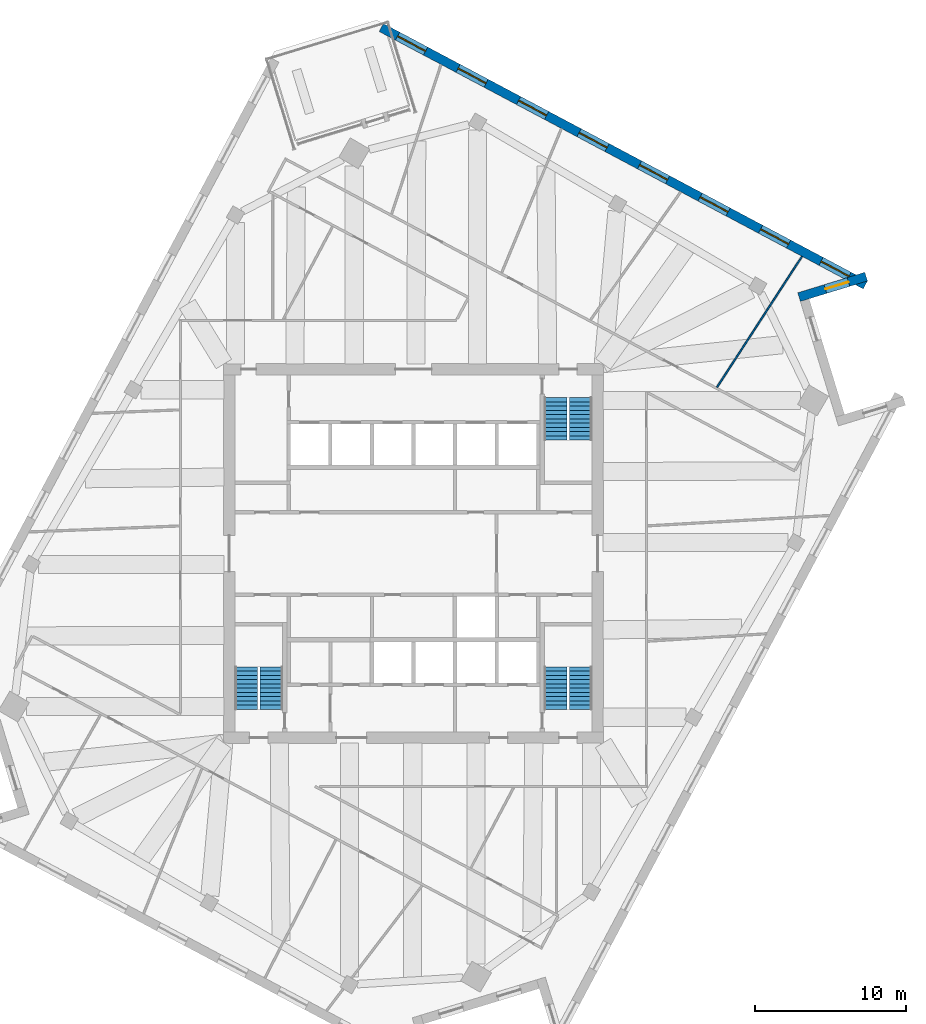
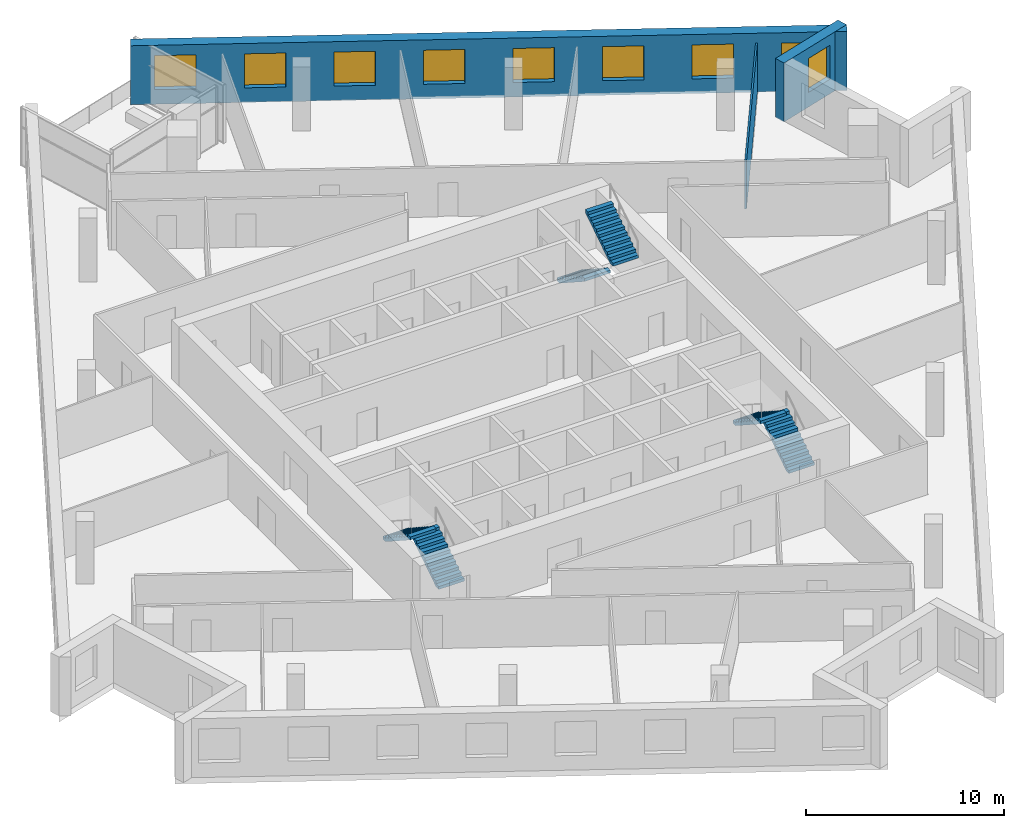
# One storey, part 11 of 13: 9 windows, 6 stair flights, 3 walls, 9 openings, 3 elements without a shape of their own.
"""IFC4 building model written with IfcOpenShell, lengths in metres."""

from ifc_helpers import new_model, si_unit, direction, frame, frame_2d, origin, place, context, subcontext, project, spatial, polyline, rectangle, outline, extrude, material, layer, layer_set, type_object, element, fill, aggregate, save


model = new_model("IFC4")

# Units and contexts
model_context = context("Model", 3, precision=1e-05, world=origin(), true_north=direction((0.0, 1.0)))
body_context = subcontext(model_context, "Body", "Model", "MODEL_VIEW")
ifc_project = project(units=[si_unit("LENGTHUNIT", "METRE"), si_unit("AREAUNIT", "SQUARE_METRE"), si_unit("VOLUMEUNIT", "CUBIC_METRE"), si_unit("PLANEANGLEUNIT", "RADIAN"), si_unit("MASSUNIT", "GRAM", prefix="KILO")], contexts=[model_context])

# Site, building, storey
site_placement = place(None, origin())
site = spatial("IfcSite", under=ifc_project, at=site_placement, CompositionType="ELEMENT")
building_placement = place(site_placement, origin())
building = spatial("IfcBuilding", under=site, at=building_placement, Name="Dilmun Exchange Tower", CompositionType="ELEMENT")
storey_placement = place(building_placement, frame((0.0, 0.0, 274.89990234375)))
storey = spatial("IfcBuildingStorey", under=building, at=storey_placement, Name="L65", CompositionType="ELEMENT", Elevation=274.89990234375)

# Wall
ifc_material_1 = material(Name="Partition 100")
ifc_layer_1 = layer(ifc_material_1, 0.10009765625)
ifc_layer_set_1 = layer_set([ifc_layer_1], Name="Partition 100")
wall_type_1 = type_object("IfcWallType", Name="Partition 100", PredefinedType="PARTITIONING", material=ifc_layer_set_1)
wall_1_placement = place(storey_placement, frame((20.0673828125, 10.994873046875, 0.0), z_axis=(0.0, 0.0, 1.0), x_axis=(0.545104885897, 0.838367856834, 0.0)))
element("IfcWall", 1, at=wall_1_placement, inside=storey, type_object=wall_type_1, Name="Partition", PredefinedType="PARTITIONING", context=body_context, shape_type="SweptSolid", body=[
    extrude(rectangle(XDim=10.308837890625, YDim=0.10009765625, at=frame_2d((5.154296875, 0.0))), origin(), (0.0, 0.0, 1.0), 3.0400390625),
])

# Wall, opening, window
ifc_material_2 = material(Name="Precast concrete C50/60", Category="concrete")
ifc_layer_2 = layer(ifc_material_2, 0.60009765625)
ifc_layer_set_2 = layer_set([ifc_layer_2], Name="Precast concrete C50/60")
wall_type_2 = type_object("IfcWallType", Name="Precast stone-clad wall 600", PredefinedType="STANDARD", material=ifc_layer_set_2)
wall_2_placement = place(storey_placement, frame((25.49462890625, 16.94921875, 0.0), z_axis=(0.0, 0.0, 1.0), x_axis=(0.956292267386, 0.292412549899, 0.0)))
wall_2 = element("IfcWall", 2, at=wall_2_placement, inside=storey, type_object=wall_type_2, Name="Facade wall L65-14", PredefinedType="STANDARD", context=body_context, shape_type="SweptSolid", body=[
    extrude(rectangle(XDim=4.635498046875, YDim=0.60009765625, at=frame_2d((2.31787109375, 0.0))), origin(), (0.0, 0.0, 1.0), 3.64013671875),
])
opening_1_placement = place(wall_2_placement, frame((1.81787109375, 0.0, 0.89990234375)))
opening_1 = element("IfcOpeningElement", 3, at=opening_1_placement, cuts=wall_2, Name="Opening W160-210", PredefinedType="OPENING", context=body_context, shape_type="SweptSolid", body=[
    extrude(rectangle(XDim=1.60009765625, YDim=2.10009765625, at=frame_2d((0.800048828125, 1.050048828125))), frame((0.0, 0.31005859375, 0.0), z_axis=(0.0, -1.0, 0.0), x_axis=(1.0, 0.0, 0.0)), (0.0, 0.0, 1.0), 0.6201171875),
])
ifc_material_3 = material(Name="Clear low-emissivity glass in aluminium frame", Category="aluminium")
window_type_1 = type_object("IfcWindowType", Name="Punched window 1600 x 2100", PartitioningType="DOUBLE_PANEL_VERTICAL", PredefinedType="WINDOW", material=ifc_material_3)
window_1_placement = place(opening_1_placement, origin())
window_1 = element("IfcWindow", 4, at=window_1_placement, inside=storey, type_object=window_type_1, Name="Window 15.1", OverallHeight=2.10009765625, OverallWidth=1.60009765625, PartitioningType="SINGLE_PANEL", PredefinedType="WINDOW", context=body_context, shape_type="SweptSolid", body=[
    extrude(rectangle(XDim=1.60009765625, YDim=2.10009765625, at=frame_2d((0.800048828125, 1.050048828125))), frame((0.0, 0.030029296875, 0.0), z_axis=(0.0, -1.0, 0.0), x_axis=(1.0, 0.0, 0.0)), (0.0, 0.0, 1.0), 0.06005859375),
])
fill(opening_1, window_1)

# Wall, openings, windows
wall_3_placement = place(storey_placement, frame((29.87451171875, 17.752685546875, 0.0), z_axis=(0.0, 0.0, 1.0), x_axis=(-0.88294707281, 0.469472540854, 0.0)))
wall_3 = element("IfcWall", 5, at=wall_3_placement, inside=storey, type_object=wall_type_2, Name="Facade wall L65-15", PredefinedType="STANDARD", context=body_context, shape_type="SweptSolid", body=[
    extrude(rectangle(XDim=36.2431640625, YDim=0.60009765625, at=frame_2d((18.12158203125, 0.0))), origin(), (0.0, 0.0, 1.0), 3.64013671875),
])
opening_2_placement = place(wall_3_placement, frame((1.215087890625, 0.0, 0.89990234375)))
opening_2 = element("IfcOpeningElement", 6, at=opening_2_placement, cuts=wall_3, Name="Opening W210-210", PredefinedType="OPENING", context=body_context, shape_type="SweptSolid", body=[
    extrude(rectangle(XDim=2.10009765625, YDim=2.10009765625, at=frame_2d((1.050048828125, 1.050048828125))), frame((0.0, 0.31005859375, 0.0), z_axis=(0.0, -1.0, 0.0), x_axis=(1.0, 0.0, 0.0)), (0.0, 0.0, 1.0), 0.6201171875),
])
opening_3_placement = place(wall_3_placement, frame((5.74560546875, 0.0, 0.89990234375)))
opening_3 = element("IfcOpeningElement", 7, at=opening_3_placement, cuts=wall_3, Name="Opening W210-210", PredefinedType="OPENING", context=body_context, shape_type="SweptSolid", body=[
    extrude(rectangle(XDim=2.10009765625, YDim=2.10009765625, at=frame_2d((1.050048828125, 1.050048828125))), frame((0.0, 0.31005859375, 0.0), z_axis=(0.0, -1.0, 0.0), x_axis=(1.0, 0.0, 0.0)), (0.0, 0.0, 1.0), 0.6201171875),
])
opening_4_placement = place(wall_3_placement, frame((10.27587890625, 0.0, 0.89990234375)))
opening_4 = element("IfcOpeningElement", 8, at=opening_4_placement, cuts=wall_3, Name="Opening W210-210", PredefinedType="OPENING", context=body_context, shape_type="SweptSolid", body=[
    extrude(rectangle(XDim=2.10009765625, YDim=2.10009765625, at=frame_2d((1.050048828125, 1.050048828125))), frame((0.0, 0.31005859375, 0.0), z_axis=(0.0, -1.0, 0.0), x_axis=(1.0, 0.0, 0.0)), (0.0, 0.0, 1.0), 0.6201171875),
])
opening_5_placement = place(wall_3_placement, frame((14.806396484375, 0.0, 0.89990234375)))
opening_5 = element("IfcOpeningElement", 9, at=opening_5_placement, cuts=wall_3, Name="Opening W210-210", PredefinedType="OPENING", context=body_context, shape_type="SweptSolid", body=[
    extrude(rectangle(XDim=2.10009765625, YDim=2.10009765625, at=frame_2d((1.050048828125, 1.050048828125))), frame((0.0, 0.31005859375, 0.0), z_axis=(0.0, -1.0, 0.0), x_axis=(1.0, 0.0, 0.0)), (0.0, 0.0, 1.0), 0.6201171875),
])
opening_6_placement = place(wall_3_placement, frame((19.3369140625, 0.0, 0.89990234375)))
opening_6 = element("IfcOpeningElement", 10, at=opening_6_placement, cuts=wall_3, Name="Opening W210-210", PredefinedType="OPENING", context=body_context, shape_type="SweptSolid", body=[
    extrude(rectangle(XDim=2.10009765625, YDim=2.10009765625, at=frame_2d((1.050048828125, 1.050048828125))), frame((0.0, 0.31005859375, 0.0), z_axis=(0.0, -1.0, 0.0), x_axis=(1.0, 0.0, 0.0)), (0.0, 0.0, 1.0), 0.6201171875),
])
opening_7_placement = place(wall_3_placement, frame((23.8671875, 0.0, 0.89990234375)))
opening_7 = element("IfcOpeningElement", 11, at=opening_7_placement, cuts=wall_3, Name="Opening W210-210", PredefinedType="OPENING", context=body_context, shape_type="SweptSolid", body=[
    extrude(rectangle(XDim=2.10009765625, YDim=2.10009765625, at=frame_2d((1.050048828125, 1.050048828125))), frame((0.0, 0.31005859375, 0.0), z_axis=(0.0, -1.0, 0.0), x_axis=(1.0, 0.0, 0.0)), (0.0, 0.0, 1.0), 0.6201171875),
])
opening_8_placement = place(wall_3_placement, frame((28.397705078125, 0.0, 0.89990234375)))
opening_8 = element("IfcOpeningElement", 12, at=opening_8_placement, cuts=wall_3, Name="Opening W210-210", PredefinedType="OPENING", context=body_context, shape_type="SweptSolid", body=[
    extrude(rectangle(XDim=2.10009765625, YDim=2.10009765625, at=frame_2d((1.050048828125, 1.050048828125))), frame((0.0, 0.31005859375, 0.0), z_axis=(0.0, -1.0, 0.0), x_axis=(1.0, 0.0, 0.0)), (0.0, 0.0, 1.0), 0.6201171875),
])
opening_9_placement = place(wall_3_placement, frame((32.927978515625, 0.0, 0.89990234375)))
opening_9 = element("IfcOpeningElement", 13, at=opening_9_placement, cuts=wall_3, Name="Opening W210-210", PredefinedType="OPENING", context=body_context, shape_type="SweptSolid", body=[
    extrude(rectangle(XDim=2.10009765625, YDim=2.10009765625, at=frame_2d((1.050048828125, 1.050048828125))), frame((0.0, 0.31005859375, 0.0), z_axis=(0.0, -1.0, 0.0), x_axis=(1.0, 0.0, 0.0)), (0.0, 0.0, 1.0), 0.6201171875),
])
window_type_2 = type_object("IfcWindowType", Name="Punched window 2100 x 2100", PartitioningType="DOUBLE_PANEL_VERTICAL", PredefinedType="WINDOW", material=ifc_material_3)
window_2_placement = place(opening_2_placement, origin())
window_2 = element("IfcWindow", 14, at=window_2_placement, inside=storey, type_object=window_type_2, Name="Window 16.1", OverallHeight=2.10009765625, OverallWidth=2.10009765625, PartitioningType="SINGLE_PANEL", PredefinedType="WINDOW", context=body_context, shape_type="SweptSolid", body=[
    extrude(rectangle(XDim=2.10009765625, YDim=2.10009765625, at=frame_2d((1.050048828125, 1.050048828125))), frame((0.0, 0.030029296875, 0.0), z_axis=(0.0, -1.0, 0.0), x_axis=(1.0, 0.0, 0.0)), (0.0, 0.0, 1.0), 0.06005859375),
])
fill(opening_2, window_2)
window_3_placement = place(opening_3_placement, origin())
window_3 = element("IfcWindow", 15, at=window_3_placement, inside=storey, type_object=window_type_2, Name="Window 16.2", OverallHeight=2.10009765625, OverallWidth=2.10009765625, PartitioningType="SINGLE_PANEL", PredefinedType="WINDOW", context=body_context, shape_type="SweptSolid", body=[
    extrude(rectangle(XDim=2.10009765625, YDim=2.10009765625, at=frame_2d((1.050048828125, 1.050048828125))), frame((0.0, 0.030029296875, 0.0), z_axis=(0.0, -1.0, 0.0), x_axis=(1.0, 0.0, 0.0)), (0.0, 0.0, 1.0), 0.06005859375),
])
fill(opening_3, window_3)
window_4_placement = place(opening_4_placement, origin())
window_4 = element("IfcWindow", 16, at=window_4_placement, inside=storey, type_object=window_type_2, Name="Window 16.3", OverallHeight=2.10009765625, OverallWidth=2.10009765625, PartitioningType="SINGLE_PANEL", PredefinedType="WINDOW", context=body_context, shape_type="SweptSolid", body=[
    extrude(rectangle(XDim=2.10009765625, YDim=2.10009765625, at=frame_2d((1.050048828125, 1.050048828125))), frame((0.0, 0.030029296875, 0.0), z_axis=(0.0, -1.0, 0.0), x_axis=(1.0, 0.0, 0.0)), (0.0, 0.0, 1.0), 0.06005859375),
])
fill(opening_4, window_4)
window_5_placement = place(opening_5_placement, origin())
window_5 = element("IfcWindow", 17, at=window_5_placement, inside=storey, type_object=window_type_2, Name="Window 16.4", OverallHeight=2.10009765625, OverallWidth=2.10009765625, PartitioningType="SINGLE_PANEL", PredefinedType="WINDOW", context=body_context, shape_type="SweptSolid", body=[
    extrude(rectangle(XDim=2.10009765625, YDim=2.10009765625, at=frame_2d((1.050048828125, 1.050048828125))), frame((0.0, 0.030029296875, 0.0), z_axis=(0.0, -1.0, 0.0), x_axis=(1.0, 0.0, 0.0)), (0.0, 0.0, 1.0), 0.06005859375),
])
fill(opening_5, window_5)
window_6_placement = place(opening_6_placement, origin())
window_6 = element("IfcWindow", 18, at=window_6_placement, inside=storey, type_object=window_type_2, Name="Window 16.5", OverallHeight=2.10009765625, OverallWidth=2.10009765625, PartitioningType="SINGLE_PANEL", PredefinedType="WINDOW", context=body_context, shape_type="SweptSolid", body=[
    extrude(rectangle(XDim=2.10009765625, YDim=2.10009765625, at=frame_2d((1.050048828125, 1.050048828125))), frame((0.0, 0.030029296875, 0.0), z_axis=(0.0, -1.0, 0.0), x_axis=(1.0, 0.0, 0.0)), (0.0, 0.0, 1.0), 0.06005859375),
])
fill(opening_6, window_6)
window_7_placement = place(opening_7_placement, origin())
window_7 = element("IfcWindow", 19, at=window_7_placement, inside=storey, type_object=window_type_2, Name="Window 16.6", OverallHeight=2.10009765625, OverallWidth=2.10009765625, PartitioningType="SINGLE_PANEL", PredefinedType="WINDOW", context=body_context, shape_type="SweptSolid", body=[
    extrude(rectangle(XDim=2.10009765625, YDim=2.10009765625, at=frame_2d((1.050048828125, 1.050048828125))), frame((0.0, 0.030029296875, 0.0), z_axis=(0.0, -1.0, 0.0), x_axis=(1.0, 0.0, 0.0)), (0.0, 0.0, 1.0), 0.06005859375),
])
fill(opening_7, window_7)
window_8_placement = place(opening_8_placement, origin())
window_8 = element("IfcWindow", 20, at=window_8_placement, inside=storey, type_object=window_type_2, Name="Window 16.7", OverallHeight=2.10009765625, OverallWidth=2.10009765625, PartitioningType="SINGLE_PANEL", PredefinedType="WINDOW", context=body_context, shape_type="SweptSolid", body=[
    extrude(rectangle(XDim=2.10009765625, YDim=2.10009765625, at=frame_2d((1.050048828125, 1.050048828125))), frame((0.0, 0.030029296875, 0.0), z_axis=(0.0, -1.0, 0.0), x_axis=(1.0, 0.0, 0.0)), (0.0, 0.0, 1.0), 0.06005859375),
])
fill(opening_8, window_8)
window_9_placement = place(opening_9_placement, origin())
window_9 = element("IfcWindow", 21, at=window_9_placement, inside=storey, type_object=window_type_2, Name="Window 16.8", OverallHeight=2.10009765625, OverallWidth=2.10009765625, PartitioningType="SINGLE_PANEL", PredefinedType="WINDOW", context=body_context, shape_type="SweptSolid", body=[
    extrude(rectangle(XDim=2.10009765625, YDim=2.10009765625, at=frame_2d((1.050048828125, 1.050048828125))), frame((0.0, 0.030029296875, 0.0), z_axis=(0.0, -1.0, 0.0), x_axis=(1.0, 0.0, 0.0)), (0.0, 0.0, 1.0), 0.06005859375),
])
fill(opening_9, window_9)

# Stair, stair flights
ifc_material_4 = material(Name="Concrete C40/50", Category="concrete")
stair_type = type_object("IfcStairType", Name="Exit stair 1500 half-turn", PredefinedType="HALF_TURN_STAIR", material=ifc_material_4)
stair_1_placement = place(storey_placement, origin())
stair_1 = element("IfcStair", 22, at=stair_1_placement, inside=storey, type_object=stair_type, Name="L65 Protected exit stair ST1", PredefinedType="HALF_TURN_STAIR")
stair_flight_type = type_object("IfcStairFlightType", Name="Exit stair flight 1500", PredefinedType="STRAIGHT", material=ifc_material_4)
stair_flight_1_placement = place(storey_placement, frame((9.39990234375, 10.300048828125, 0.0), z_axis=(0.0, 0.0, 1.0), x_axis=(0.0, -1.0, 0.0)))
stair_flight_1 = element("IfcStairFlight", 23, at=stair_flight_1_placement, type_object=stair_flight_type, Name="ST1 flight 1", NumberOfRisers=11, NumberOfTreads=10, PredefinedType="STRAIGHT", RiserHeight=0.181818182, TreadLength=0.28, context=body_context, shape_type="SweptSolid", body=[
    extrude(outline(polyline([(0.0, 0.0), (0.0, 0.181884765625), (0.280029296875, 0.181884765625), (0.280029296875, 0.363525390625), (0.56005859375, 0.363525390625), (0.56005859375, 0.54541015625), (0.840087890625, 0.54541015625), (0.840087890625, 0.727294921875), (1.1201171875, 0.727294921875), (1.1201171875, 0.9091796875), (1.39990234375, 0.9091796875), (1.39990234375, 1.0908203125), (1.679931640625, 1.0908203125), (1.679931640625, 1.272705078125), (1.9599609375, 1.272705078125), (1.9599609375, 1.45458984375), (2.239990234375, 1.45458984375), (2.239990234375, 1.636474609375), (2.52001953125, 1.636474609375), (2.52001953125, 1.818115234375), (2.800048828125, 1.818115234375), (2.800048828125, 2.0), (2.800048828125, 1.639404296875), (0.275146484375, 0.0), (0.0, 0.0)])), frame((0.0, 0.75, 0.0), z_axis=(0.0, -1.0, 0.0), x_axis=(1.0, 0.0, 0.0)), (0.0, 0.0, 1.0), 1.5),
])
stair_flight_2_placement = place(storey_placement, frame((11.050048828125, 7.5, 2.0), z_axis=(0.0, 0.0, 1.0), x_axis=(0.0, 1.0, 0.0)))
stair_flight_2 = element("IfcStairFlight", 24, at=stair_flight_2_placement, type_object=stair_flight_type, Name="ST1 flight 2", NumberOfRisers=11, NumberOfTreads=10, PredefinedType="STRAIGHT", RiserHeight=0.181818182, TreadLength=0.28, context=body_context, shape_type="SweptSolid", body=[
    extrude(outline(polyline([(0.0, 0.0), (0.0, 0.181884765625), (0.280029296875, 0.181884765625), (0.280029296875, 0.363525390625), (0.56005859375, 0.363525390625), (0.56005859375, 0.54541015625), (0.840087890625, 0.54541015625), (0.840087890625, 0.727294921875), (1.1201171875, 0.727294921875), (1.1201171875, 0.9091796875), (1.39990234375, 0.9091796875), (1.39990234375, 1.0908203125), (1.679931640625, 1.0908203125), (1.679931640625, 1.272705078125), (1.9599609375, 1.272705078125), (1.9599609375, 1.45458984375), (2.239990234375, 1.45458984375), (2.239990234375, 1.636474609375), (2.52001953125, 1.636474609375), (2.52001953125, 1.818115234375), (2.800048828125, 1.818115234375), (2.800048828125, 2.0), (2.800048828125, 1.639404296875), (0.275146484375, 0.0), (0.0, 0.0)])), frame((0.0, 0.75, 0.0), z_axis=(0.0, -1.0, 0.0), x_axis=(1.0, 0.0, 0.0)), (0.0, 0.0, 1.0), 1.5),
])
aggregate(stair_1, [stair_flight_1, stair_flight_2])

stair_2_placement = place(storey_placement, origin())
stair_2 = element("IfcStair", 25, at=stair_2_placement, inside=storey, type_object=stair_type, Name="L65 Protected exit stair ST2", PredefinedType="HALF_TURN_STAIR")
stair_flight_3_placement = place(storey_placement, frame((-9.39990234375, -10.300048828125, 0.0), z_axis=(0.0, 0.0, 1.0), x_axis=(0.0, 1.0, 0.0)))
stair_flight_3 = element("IfcStairFlight", 26, at=stair_flight_3_placement, type_object=stair_flight_type, Name="ST2 flight 1", NumberOfRisers=11, NumberOfTreads=10, PredefinedType="STRAIGHT", RiserHeight=0.181818182, TreadLength=0.28, context=body_context, shape_type="SweptSolid", body=[
    extrude(outline(polyline([(0.0, 0.0), (0.0, 0.181884765625), (0.280029296875, 0.181884765625), (0.280029296875, 0.363525390625), (0.56005859375, 0.363525390625), (0.56005859375, 0.54541015625), (0.840087890625, 0.54541015625), (0.840087890625, 0.727294921875), (1.1201171875, 0.727294921875), (1.1201171875, 0.9091796875), (1.39990234375, 0.9091796875), (1.39990234375, 1.0908203125), (1.679931640625, 1.0908203125), (1.679931640625, 1.272705078125), (1.9599609375, 1.272705078125), (1.9599609375, 1.45458984375), (2.239990234375, 1.45458984375), (2.239990234375, 1.636474609375), (2.52001953125, 1.636474609375), (2.52001953125, 1.818115234375), (2.800048828125, 1.818115234375), (2.800048828125, 2.0), (2.800048828125, 1.639404296875), (0.275146484375, 0.0), (0.0, 0.0)])), frame((0.0, 0.75, 0.0), z_axis=(0.0, -1.0, 0.0), x_axis=(1.0, 0.0, 0.0)), (0.0, 0.0, 1.0), 1.5),
])
stair_flight_4_placement = place(storey_placement, frame((-11.050048828125, -7.5, 2.0), z_axis=(0.0, 0.0, 1.0), x_axis=(0.0, -1.0, 0.0)))
stair_flight_4 = element("IfcStairFlight", 27, at=stair_flight_4_placement, type_object=stair_flight_type, Name="ST2 flight 2", NumberOfRisers=11, NumberOfTreads=10, PredefinedType="STRAIGHT", RiserHeight=0.181818182, TreadLength=0.28, context=body_context, shape_type="SweptSolid", body=[
    extrude(outline(polyline([(0.0, 0.0), (0.0, 0.181884765625), (0.280029296875, 0.181884765625), (0.280029296875, 0.363525390625), (0.56005859375, 0.363525390625), (0.56005859375, 0.54541015625), (0.840087890625, 0.54541015625), (0.840087890625, 0.727294921875), (1.1201171875, 0.727294921875), (1.1201171875, 0.9091796875), (1.39990234375, 0.9091796875), (1.39990234375, 1.0908203125), (1.679931640625, 1.0908203125), (1.679931640625, 1.272705078125), (1.9599609375, 1.272705078125), (1.9599609375, 1.45458984375), (2.239990234375, 1.45458984375), (2.239990234375, 1.636474609375), (2.52001953125, 1.636474609375), (2.52001953125, 1.818115234375), (2.800048828125, 1.818115234375), (2.800048828125, 2.0), (2.800048828125, 1.639404296875), (0.275146484375, 0.0), (0.0, 0.0)])), frame((0.0, 0.75, 0.0), z_axis=(0.0, -1.0, 0.0), x_axis=(1.0, 0.0, 0.0)), (0.0, 0.0, 1.0), 1.5),
])
aggregate(stair_2, [stair_flight_3, stair_flight_4])

stair_3_placement = place(storey_placement, origin())
stair_3 = element("IfcStair", 28, at=stair_3_placement, inside=storey, type_object=stair_type, Name="L65 Protected exit stair ST3", PredefinedType="HALF_TURN_STAIR")
stair_flight_5_placement = place(storey_placement, frame((11.050048828125, -10.300048828125, 0.0), z_axis=(0.0, 0.0, 1.0), x_axis=(0.0, 1.0, 0.0)))
stair_flight_5 = element("IfcStairFlight", 29, at=stair_flight_5_placement, type_object=stair_flight_type, Name="ST3 flight 1", NumberOfRisers=11, NumberOfTreads=10, PredefinedType="STRAIGHT", RiserHeight=0.181818182, TreadLength=0.28, context=body_context, shape_type="SweptSolid", body=[
    extrude(outline(polyline([(0.0, 0.0), (0.0, 0.181884765625), (0.280029296875, 0.181884765625), (0.280029296875, 0.363525390625), (0.56005859375, 0.363525390625), (0.56005859375, 0.54541015625), (0.840087890625, 0.54541015625), (0.840087890625, 0.727294921875), (1.1201171875, 0.727294921875), (1.1201171875, 0.9091796875), (1.39990234375, 0.9091796875), (1.39990234375, 1.0908203125), (1.679931640625, 1.0908203125), (1.679931640625, 1.272705078125), (1.9599609375, 1.272705078125), (1.9599609375, 1.45458984375), (2.239990234375, 1.45458984375), (2.239990234375, 1.636474609375), (2.52001953125, 1.636474609375), (2.52001953125, 1.818115234375), (2.800048828125, 1.818115234375), (2.800048828125, 2.0), (2.800048828125, 1.639404296875), (0.275146484375, 0.0), (0.0, 0.0)])), frame((0.0, 0.75, 0.0), z_axis=(0.0, -1.0, 0.0), x_axis=(1.0, 0.0, 0.0)), (0.0, 0.0, 1.0), 1.5),
])
stair_flight_6_placement = place(storey_placement, frame((9.39990234375, -7.5, 2.0), z_axis=(0.0, 0.0, 1.0), x_axis=(0.0, -1.0, 0.0)))
stair_flight_6 = element("IfcStairFlight", 30, at=stair_flight_6_placement, type_object=stair_flight_type, Name="ST3 flight 2", NumberOfRisers=11, NumberOfTreads=10, PredefinedType="STRAIGHT", RiserHeight=0.181818182, TreadLength=0.28, context=body_context, shape_type="SweptSolid", body=[
    extrude(outline(polyline([(0.0, 0.0), (0.0, 0.181884765625), (0.280029296875, 0.181884765625), (0.280029296875, 0.363525390625), (0.56005859375, 0.363525390625), (0.56005859375, 0.54541015625), (0.840087890625, 0.54541015625), (0.840087890625, 0.727294921875), (1.1201171875, 0.727294921875), (1.1201171875, 0.9091796875), (1.39990234375, 0.9091796875), (1.39990234375, 1.0908203125), (1.679931640625, 1.0908203125), (1.679931640625, 1.272705078125), (1.9599609375, 1.272705078125), (1.9599609375, 1.45458984375), (2.239990234375, 1.45458984375), (2.239990234375, 1.636474609375), (2.52001953125, 1.636474609375), (2.52001953125, 1.818115234375), (2.800048828125, 1.818115234375), (2.800048828125, 2.0), (2.800048828125, 1.639404296875), (0.275146484375, 0.0), (0.0, 0.0)])), frame((0.0, 0.75, 0.0), z_axis=(0.0, -1.0, 0.0), x_axis=(1.0, 0.0, 0.0)), (0.0, 0.0, 1.0), 1.5),
])
aggregate(stair_3, [stair_flight_5, stair_flight_6])

save(model, "model.ifc")
